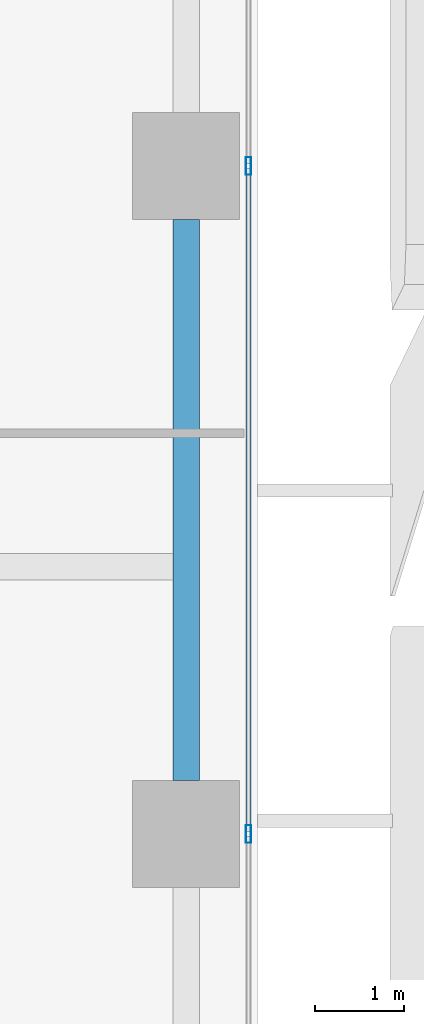
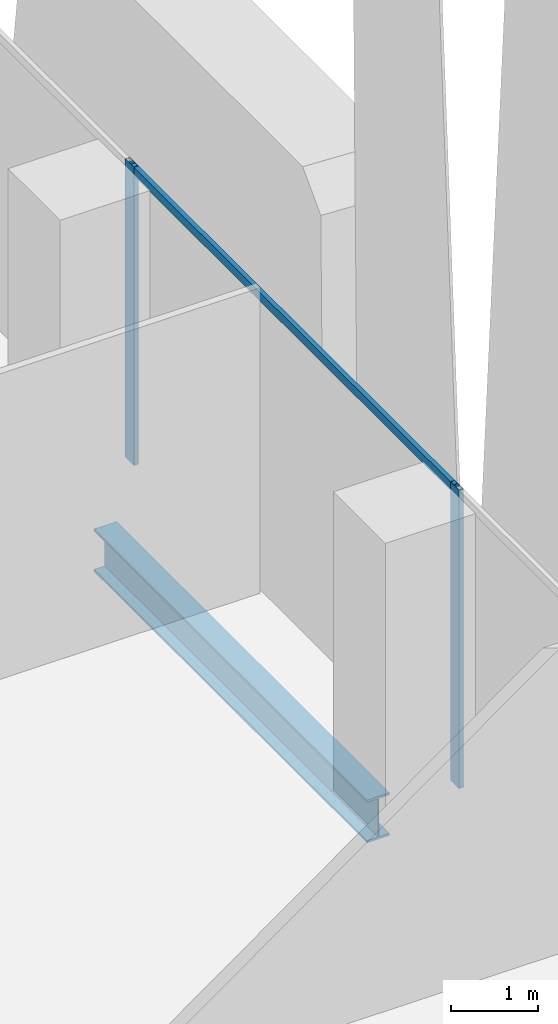
# One storey, part 11 of 36: 3 members, 1 beam, 1 element without a shape of its own.
"""IFC4 building model written with IfcOpenShell, lengths in metres."""

from ifc_helpers import new_model, si_unit, direction, frame, origin, origin_2d, place, context, subcontext, project, spatial, hollow_rectangle, i_section, extrude, source, transform, mapped, material, material_profile, profile_set, type_object, element, aggregate, save


model = new_model("IFC4")

# Units and contexts
model_context = context("Model", 3, precision=1e-05, world=origin(), true_north=direction((0.0, 1.0)))
body_context = subcontext(model_context, "Body", "Model", "MODEL_VIEW")
ifc_project = project(units=[si_unit("LENGTHUNIT", "METRE"), si_unit("AREAUNIT", "SQUARE_METRE"), si_unit("VOLUMEUNIT", "CUBIC_METRE"), si_unit("PLANEANGLEUNIT", "RADIAN"), si_unit("MASSUNIT", "GRAM", prefix="KILO")], contexts=[model_context])

# Site, building, storey
site_placement = place(None, origin())
site = spatial("IfcSite", under=ifc_project, at=site_placement, CompositionType="ELEMENT")
building_placement = place(site_placement, origin())
building = spatial("IfcBuilding", under=site, at=building_placement, Name="Khomas Fold Tower", CompositionType="ELEMENT")
storey_placement = place(building_placement, frame((0.0, 0.0, 46.5)))
storey = spatial("IfcBuildingStorey", under=building, at=storey_placement, Name="L09", CompositionType="ELEMENT", Elevation=46.5)

# Beam
ifc_material_1 = material(Name="Steel S355", Category="steel")
ifc_material_profile_1 = material_profile(ifc_material_1, i_section(OverallWidth=0.300048828125, OverallDepth=0.60009765625, WebThickness=0.015380859375, FlangeThickness=0.030029296875, at=origin_2d()), Name="HE 600 B")
ifc_profile_set_1 = profile_set([ifc_material_profile_1], Name="Steel S355")
beam_type = type_object("IfcBeamType", Name="HE 600 B spandrel SB1", PredefinedType="SPANDREL", material=ifc_profile_set_1)
shared_shape_1 = source(origin(), body_context, "Body", "SweptSolid", [
    extrude(i_section(OverallWidth=0.300048828125, OverallDepth=0.60009765625, WebThickness=0.015380859375, FlangeThickness=0.030029296875, at=origin_2d()), origin(), (0.0, 0.0, 1.0), 6.2998046875),
])
beam_placement = place(storey_placement, frame((53.199951171875, 20.10009765625, -0.60009765625), z_axis=(0.0, 1.0, 0.0), x_axis=(-1.0, 0.0, 0.0)))
element("IfcBeam", 1, at=beam_placement, inside=storey, type_object=beam_type, Name="SB1", PredefinedType="SPANDREL", context=body_context, shape_type="MappedRepresentation", body=[
    mapped(shared_shape_1, transform((0.0, 0.0, 0.0))),
])

# Curtain wall, members
ifc_material_2 = material(Name="Aluminium framed double glazing", Category="aluminium")
curtain_wall_type = type_object("IfcCurtainWallType", Name="SK-Unitised clear-glass wall, growing floors CW1", PredefinedType="NOTDEFINED", material=ifc_material_2)
curtain_wall_placement = place(storey_placement, origin())
curtain_wall = element("IfcCurtainWall", 2, at=curtain_wall_placement, inside=storey, type_object=curtain_wall_type, Name="CW1 run L09 03-0", PredefinedType="NOTDEFINED")
ifc_material_3 = material(Name="Aluminium", Category="aluminium")
ifc_material_profile_2 = material_profile(ifc_material_3, hollow_rectangle(XDim=0.06005859375, YDim=0.1201171875, WallThickness=0.00390625, at=origin_2d()), Name="SK-Unitised clear-glass wall, growing floors transom CW1-T")
ifc_profile_set_2 = profile_set([ifc_material_profile_2], Name="Aluminium")
member_type_1 = type_object("IfcMemberType", Name="SK-Unitised clear-glass wall, growing floors transom CW1-T", PredefinedType="USERDEFINED", material=ifc_profile_set_2)
shared_shape_2 = source(origin(), body_context, "Body", "SweptSolid", [
    extrude(hollow_rectangle(XDim=0.06005859375, YDim=0.1201171875, WallThickness=0.00390625, at=origin_2d()), origin(), (0.0, 0.0, 1.0), 7.43994140625),
])
member_1_placement = place(storey_placement, frame((53.89990234375, 19.530029296875, 4.139892578125), z_axis=(0.0, 1.0, 0.0), x_axis=(-1.0, 0.0, 0.0)))
member_1 = element("IfcMember", 3, at=member_1_placement, type_object=member_type_1, Name="CW1 transom 4", ObjectType="TRANSOM", PredefinedType="USERDEFINED", context=body_context, shape_type="MappedRepresentation", body=[
    mapped(shared_shape_2, transform((0.0, 0.0, 0.0))),
])
ifc_material_4 = material(Name="Aluminium", Category="aluminium")
ifc_material_profile_3 = material_profile(ifc_material_4, hollow_rectangle(XDim=0.06005859375, YDim=0.199951171875, WallThickness=0.00390625, at=origin_2d()), Name="SK-Unitised clear-glass wall, growing floors mullion CW1-M")
ifc_profile_set_3 = profile_set([ifc_material_profile_3], Name="Aluminium")
member_type_2 = type_object("IfcMemberType", Name="SK-Unitised clear-glass wall, growing floors mullion CW1-M", PredefinedType="MULLION", material=ifc_profile_set_3)
shared_shape_3 = source(origin(), body_context, "Body", "SweptSolid", [
    extrude(hollow_rectangle(XDim=0.06005859375, YDim=0.199951171875, WallThickness=0.00390625, at=origin_2d()), origin(), (0.0, 0.0, 1.0), 4.199951171875),
])
member_2_placement = place(storey_placement, frame((53.89990234375, 19.5, 0.0), z_axis=(0.0, 0.0, 1.0), x_axis=(-1.0, 0.0, 0.0)))
member_2 = element("IfcMember", 4, at=member_2_placement, type_object=member_type_2, Name="CW1 mullion 4", PredefinedType="MULLION", context=body_context, shape_type="MappedRepresentation", body=[
    mapped(shared_shape_3, transform((0.0, 0.0, 0.0))),
])
member_3_placement = place(storey_placement, frame((53.89990234375, 27.0, 0.0), z_axis=(0.0, 0.0, 1.0), x_axis=(-1.0, 0.0, 0.0)))
member_3 = element("IfcMember", 5, at=member_3_placement, type_object=member_type_2, Name="CW1 mullion 5", PredefinedType="MULLION", context=body_context, shape_type="MappedRepresentation", body=[
    mapped(shared_shape_3, transform((0.0, 0.0, 0.0))),
])
aggregate(curtain_wall, [member_2, member_3, member_1])

save(model, "model.ifc")
